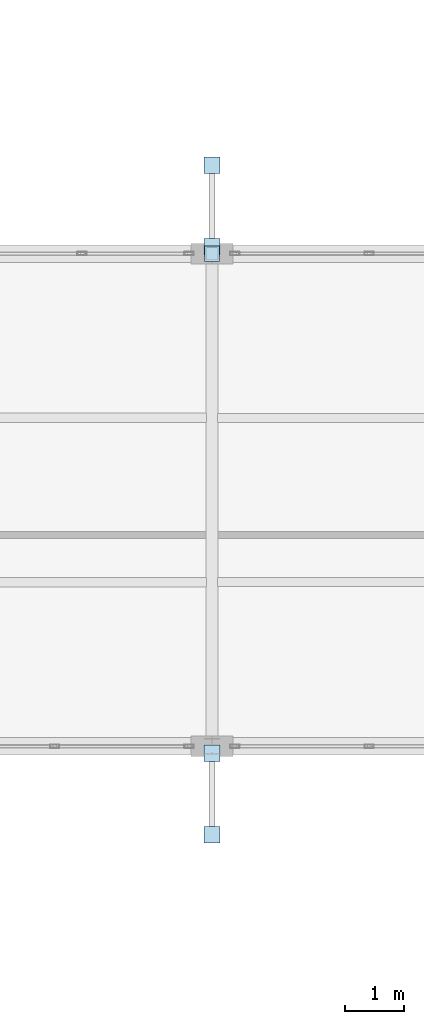
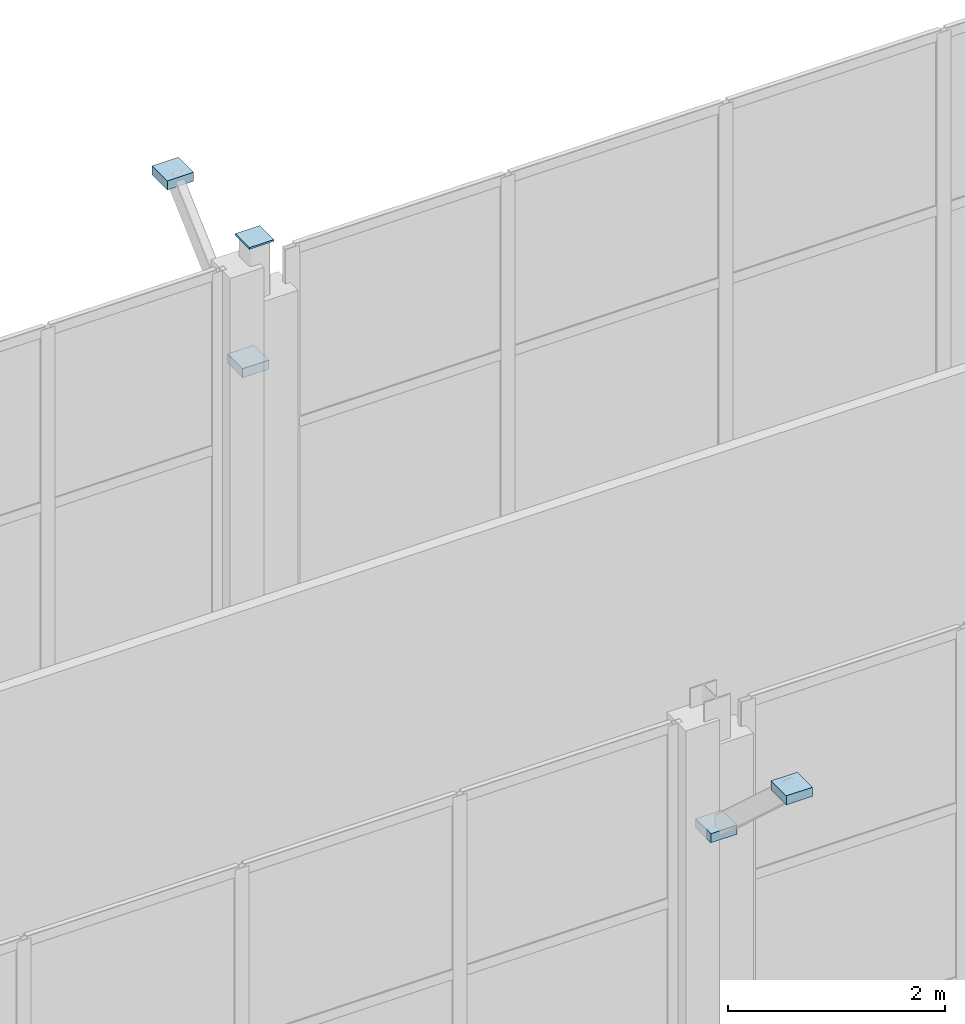
# One storey, part 75 of 101: 5 plates.
"""IFC4 building model written with IfcOpenShell, lengths in metres."""

from ifc_helpers import new_model, si_unit, direction, frame, origin, origin_2d, place, context, subcontext, project, spatial, rectangle, extrude, material, layer, layer_set, type_object, element, save


model = new_model("IFC4")

# Units and contexts
model_context = context("Model", 3, precision=1e-05, world=origin(), true_north=direction((0.0, 1.0)))
body_context = subcontext(model_context, "Body", "Model", "MODEL_VIEW")
ifc_project = project(units=[si_unit("LENGTHUNIT", "METRE"), si_unit("AREAUNIT", "SQUARE_METRE"), si_unit("VOLUMEUNIT", "CUBIC_METRE"), si_unit("PLANEANGLEUNIT", "RADIAN"), si_unit("MASSUNIT", "GRAM", prefix="KILO")], contexts=[model_context])

# Site, building, storey
site_placement = place(None, origin())
site = spatial("IfcSite", under=ifc_project, at=site_placement, CompositionType="ELEMENT")
building_placement = place(site_placement, origin())
building = spatial("IfcBuilding", under=site, at=building_placement, Name="Vekula Escarpment Museum", CompositionType="ELEMENT")
storey_placement = place(building_placement, frame((0.0, 0.0, 18.0)))
storey = spatial("IfcBuildingStorey", under=building, at=storey_placement, Name="L04", CompositionType="ELEMENT", Elevation=18.0)

# Plates
ifc_material_1 = material(Name="Steel S355", Category="steel")
ifc_layer_1 = layer(ifc_material_1, 0.01611328125)
ifc_layer_set_1 = layer_set([ifc_layer_1], Name="Steel S355")
plate_type_1 = type_object("IfcPlateType", Name="PL-CAP-16", PredefinedType="SHEET", material=ifc_layer_set_1)
for number, where, z_axis, x_axis, name in (
    (1, (136.0, 67.88525390625, 2.694091796875), (0.0, 0.0, 1.0), (1.0, 0.0, 0.0), "Hollow section end cap CP-16"),
    (2, (136.0, 66.49462890625, 3.9638671875), (0.0, 0.0, 1.0), (1.0, 0.0, 0.0), "Hollow section end cap CP-16"),
    (3, (136.0, 76.5146484375, 2.694091796875), (0.0, 0.0, 1.0), (1.0, 0.0, 0.0), "Hollow section end cap CP-16"),
    (4, (136.0, 77.9052734375, 3.9638671875), (0.0, 0.0, 1.0), (1.0, 0.0, 0.0), "Hollow section end cap CP-16"),
):
    element("IfcPlate", number, at=place(storey_placement, frame(where, z_axis=z_axis, x_axis=x_axis)), inside=storey, type_object=plate_type_1, Name=name, PredefinedType="SHEET", context=body_context, shape_type="SweptSolid", body=[
        extrude(rectangle(XDim=0.280029296875, YDim=0.280029296875, at=origin_2d()), origin(), (0.0, 0.0, 1.0), 0.10205078125),
    ])
ifc_material_2 = material(Name="Steel S355", Category="steel")
ifc_layer_2 = layer(ifc_material_2, 0.02001953125)
ifc_layer_set_2 = layer_set([ifc_layer_2], Name="Steel S355")
plate_type_2 = type_object("IfcPlateType", Name="PL-CAP-20", PredefinedType="SHEET", material=ifc_layer_set_2)
plate_placement = place(storey_placement, frame((136.0, 76.39990234375, 4.197998046875), z_axis=(0.0, 0.0, 1.0), x_axis=(1.0, 0.0, 0.0)))
element("IfcPlate", 5, at=plate_placement, inside=storey, type_object=plate_type_2, Name="Hollow section end cap CP-20", PredefinedType="SHEET", context=body_context, shape_type="SweptSolid", body=[
    extrude(rectangle(XDim=0.260009765625, YDim=0.260009765625, at=origin_2d()), origin(), (0.0, 0.0, 1.0), 0.02001953125),
])

save(model, "model.ifc")
